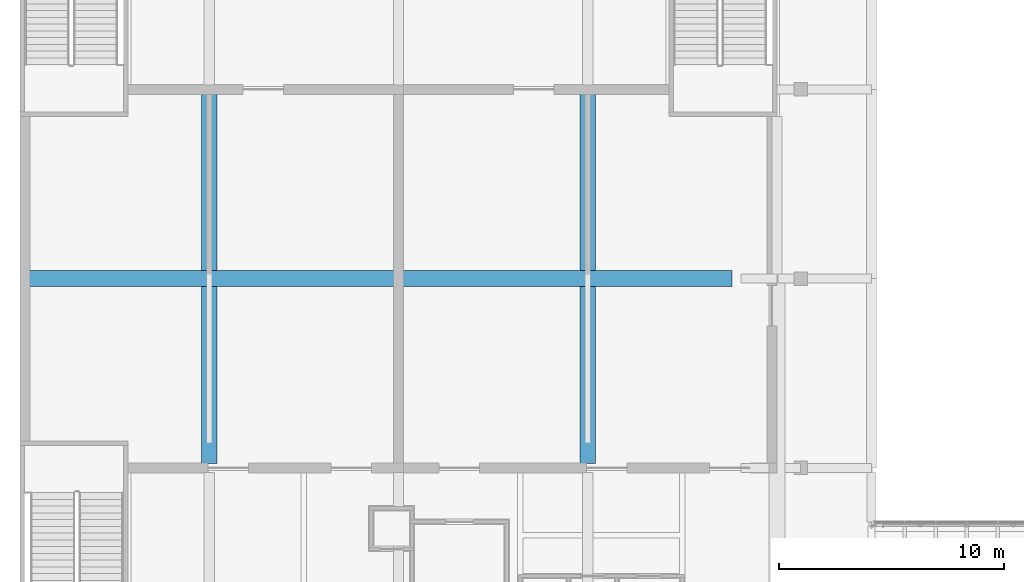
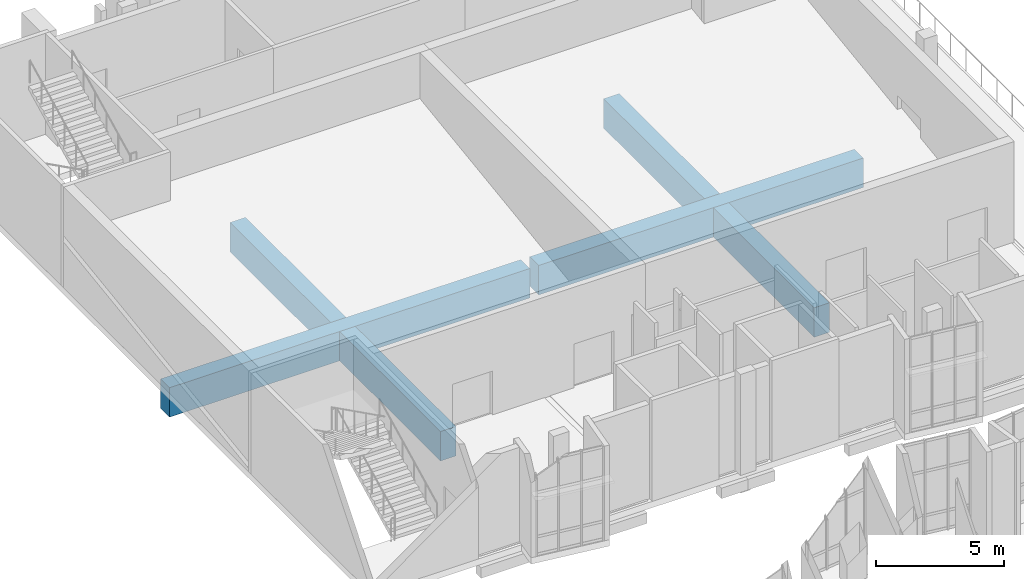
# One storey, part 14 of 67: 4 beams.
"""IFC4 building model written with IfcOpenShell, lengths in metres."""

from ifc_helpers import new_model, si_unit, direction, frame, origin, origin_2d, place, context, subcontext, project, spatial, rectangle, extrude, material, material_profile, profile_set, type_object, element, save


model = new_model("IFC4")

# Units and contexts
model_context = context("Model", 3, precision=1e-05, world=origin(), true_north=direction((0.0, 1.0)))
body_context = subcontext(model_context, "Body", "Model", "MODEL_VIEW")
ifc_project = project(units=[si_unit("LENGTHUNIT", "METRE"), si_unit("AREAUNIT", "SQUARE_METRE"), si_unit("VOLUMEUNIT", "CUBIC_METRE"), si_unit("PLANEANGLEUNIT", "RADIAN"), si_unit("MASSUNIT", "GRAM", prefix="KILO")], contexts=[model_context])

# Site, building, storey
site_placement = place(None, origin())
site = spatial("IfcSite", under=ifc_project, at=site_placement, CompositionType="ELEMENT")
building_placement = place(site_placement, origin())
building = spatial("IfcBuilding", under=site, at=building_placement, Name="Kiln Court Media Centre", CompositionType="ELEMENT")
storey_placement = place(building_placement, frame((0.0, 0.0, 19.800048828125)))
storey = spatial("IfcBuildingStorey", under=building, at=storey_placement, Name="L04", CompositionType="ELEMENT", Elevation=19.800048828125)

# Beams
ifc_material = material(Name="Concrete C30/37", Category="concrete")
ifc_material_profile = material_profile(ifc_material, rectangle(XDim=0.699951171875, YDim=1.39990234375, at=origin_2d()), Name="RC 700x1400")
ifc_profile_set = profile_set([ifc_material_profile], Name="Concrete C30/37")
beam_type = type_object("IfcBeamType", Name="Concrete C30/37 beam 700x1400", PredefinedType="BEAM", material=ifc_profile_set)
for number, where, z_axis, x_axis, name in (
    (1, (8.39990234375, 42.199951171875, -1.0), (0.0, 1.0, 0.0), (-1.0, 0.0, 0.0), "L04-B-1060"),
    (2, (25.199951171875, 42.199951171875, -1.0), (0.0, 1.0, 0.0), (-1.0, 0.0, 0.0), "L04-B-1065"),
):
    element("IfcBeam", number, at=place(storey_placement, frame(where, z_axis=z_axis, x_axis=x_axis)), inside=storey, type_object=beam_type, Name=name, PredefinedType="BEAM", context=body_context, shape_type="SweptSolid", body=[
        extrude(rectangle(XDim=0.699951171875, YDim=1.39990234375, at=origin_2d()), origin(), (0.0, 0.0, 1.0), 16.400146484375),
    ])
beam_1_placement = place(storey_placement, frame((0.39990234375, 50.39990234375, -1.0), z_axis=(1.0, 0.0, 0.0), x_axis=(0.0, 1.0, 0.0)))
element("IfcBeam", 3, at=beam_1_placement, inside=storey, type_object=beam_type, Name="L04-B-1076", PredefinedType="BEAM", context=body_context, shape_type="SweptSolid", body=[
    extrude(rectangle(XDim=0.699951171875, YDim=1.39990234375, at=origin_2d()), origin(), (0.0, 0.0, 1.0), 16.2001953125),
])
beam_2_placement = place(storey_placement, frame((17.0, 50.39990234375, -1.0), z_axis=(1.0, 0.0, 0.0), x_axis=(0.0, 1.0, 0.0)))
element("IfcBeam", 4, at=beam_2_placement, inside=storey, type_object=beam_type, Name="L04-B-1077", PredefinedType="BEAM", context=body_context, shape_type="SweptSolid", body=[
    extrude(rectangle(XDim=0.699951171875, YDim=1.39990234375, at=origin_2d()), origin(), (0.0, 0.0, 1.0), 14.60009765625),
])

save(model, "model.ifc")
